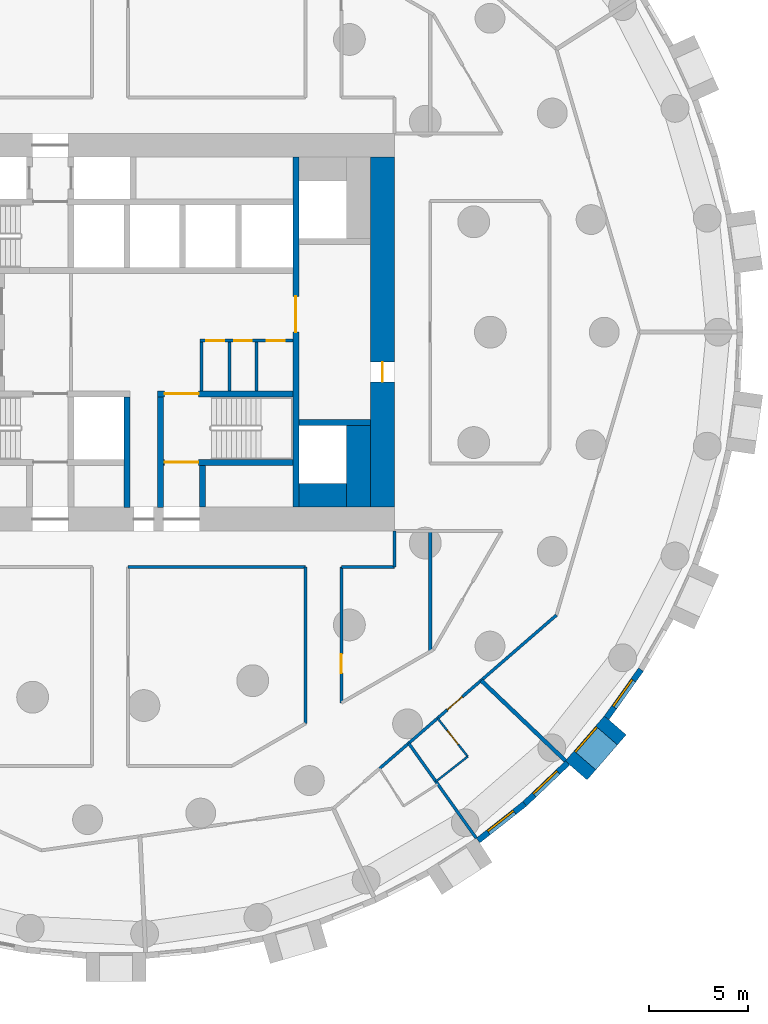
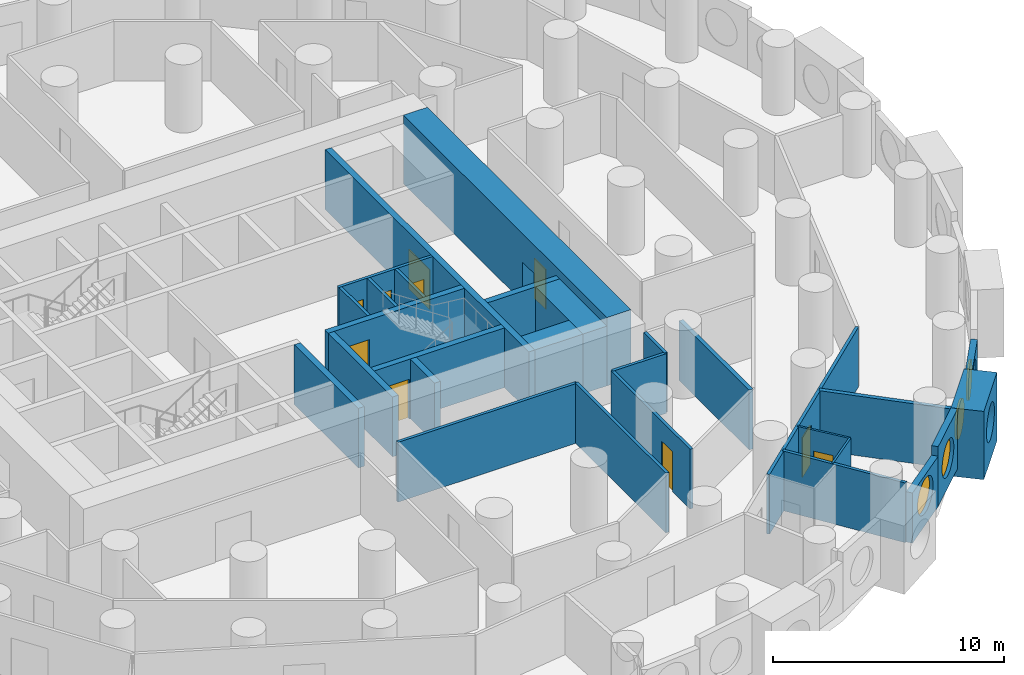
# One storey, part 5 of 11: 29 walls, 10 doors, 4 windows, 14 openings.
"""IFC4 building model written with IfcOpenShell, lengths in metres."""

from ifc_helpers import new_model, si_unit, direction, frame, frame_2d, origin, origin_2d, place, context, subcontext, project, spatial, rectangle, circle, extrude, material, layer, layer_set, type_object, element, fill, save


model = new_model("IFC4")

# Units and contexts
model_context = context("Model", 3, precision=1e-05, world=origin(), true_north=direction((0.0, 1.0)))
body_context = subcontext(model_context, "Body", "Model", "MODEL_VIEW")
ifc_project = project(units=[si_unit("LENGTHUNIT", "METRE"), si_unit("AREAUNIT", "SQUARE_METRE"), si_unit("VOLUMEUNIT", "CUBIC_METRE"), si_unit("PLANEANGLEUNIT", "RADIAN"), si_unit("MASSUNIT", "GRAM", prefix="KILO")], contexts=[model_context])

# Site, building, storey
site_placement = place(None, origin())
site = spatial("IfcSite", under=ifc_project, at=site_placement, CompositionType="ELEMENT")
building_placement = place(site_placement, origin())
building = spatial("IfcBuilding", under=site, at=building_placement, Name="Tracery Tower", CompositionType="ELEMENT")
storey_placement = place(building_placement, frame((0.0, 0.0, 60.60009765625)))
storey = spatial("IfcBuildingStorey", under=building, at=storey_placement, Name="L14", CompositionType="ELEMENT", Elevation=60.60009765625)

# Wall
ifc_material_1 = material(Name="Plasterboard on steel studs", Category="steel")
ifc_layer_1 = layer(ifc_material_1, 0.14990234375)
ifc_layer_set_1 = layer_set([ifc_layer_1], Name="Core room partition 150")
wall_type_1 = type_object("IfcWallType", Name="Core room partition 150", PredefinedType="SOLIDWALL", material=ifc_layer_set_1)
wall_1_placement = place(storey_placement, frame((4.300048828125, -2.949951171875, 0.0), z_axis=(0.0, 0.0, 1.0), x_axis=(0.0, 1.0, 0.0)))
element("IfcWall", 1, at=wall_1_placement, inside=storey, type_object=wall_type_1, Name="L14 slot W", PredefinedType="SOLIDWALL", context=body_context, shape_type="SweptSolid", body=[
    extrude(rectangle(XDim=2.449951171875, YDim=0.14990234375, at=frame_2d((1.22509765625, 0.0))), origin(), (0.0, 0.0, 1.0), 3.14990234375),
])

# Wall, openings, doors
wall_2_placement = place(storey_placement, frame((4.22509765625, -0.425048828125, 0.0), z_axis=(0.0, 0.0, 1.0), x_axis=(1.0, 0.0, 0.0)))
wall_2 = element("IfcWall", 2, at=wall_2_placement, inside=storey, type_object=wall_type_1, Name="L14 slot N", PredefinedType="SOLIDWALL", context=body_context, shape_type="SweptSolid", body=[
    extrude(rectangle(XDim=4.6748046875, YDim=0.14990234375, at=frame_2d((2.33740234375, 0.0))), origin(), (0.0, 0.0, 1.0), 3.14990234375),
])
opening_1_placement = place(wall_2_placement, frame((0.324951171875, 0.0, 0.0)))
opening_1 = element("IfcOpeningElement", 3, at=opening_1_placement, cuts=wall_2, Name="Opening KD27", PredefinedType="OPENING", context=body_context, shape_type="SweptSolid", body=[
    extrude(rectangle(XDim=0.89990234375, YDim=2.10009765625, at=frame_2d((0.449951171875, 1.050048828125))), frame((0.0, 0.074951171875, 0.0), z_axis=(0.0, -1.0, 0.0), x_axis=(1.0, 0.0, 0.0)), (0.0, 0.0, 1.0), 0.14990234375),
])
opening_2_placement = place(wall_2_placement, frame((1.71240234375, 0.0, 0.0)))
opening_2 = element("IfcOpeningElement", 4, at=opening_2_placement, cuts=wall_2, Name="Opening KD31", PredefinedType="OPENING", context=body_context, shape_type="SweptSolid", body=[
    extrude(rectangle(XDim=0.89990234375, YDim=2.10009765625, at=frame_2d((0.449951171875, 1.050048828125))), frame((0.0, 0.074951171875, 0.0), z_axis=(0.0, -1.0, 0.0), x_axis=(1.0, 0.0, 0.0)), (0.0, 0.0, 1.0), 0.14990234375),
])
opening_3_placement = place(wall_2_placement, frame((3.35009765625, 0.0, 0.0)))
opening_3 = element("IfcOpeningElement", 5, at=opening_3_placement, cuts=wall_2, Name="Opening KD22", PredefinedType="OPENING", context=body_context, shape_type="SweptSolid", body=[
    extrude(rectangle(XDim=0.89990234375, YDim=2.10009765625, at=frame_2d((0.449951171875, 1.050048828125))), frame((0.0, 0.074951171875, 0.0), z_axis=(0.0, -1.0, 0.0), x_axis=(1.0, 0.0, 0.0)), (0.0, 0.0, 1.0), 0.14990234375),
])
ifc_material_2 = material(Name="Timber door leaf", Category="wood")
door_type_1 = type_object("IfcDoorType", Name="Core WC door 900", OperationType="NOTDEFINED", PredefinedType="DOOR", material=ifc_material_2)
door_1_placement = place(opening_3_placement, origin())
door_1 = element("IfcDoor", 6, at=door_1_placement, inside=storey, type_object=door_type_1, Name="Core door", OperationType="SINGLE_SWING_RIGHT", OverallHeight=2.10009765625, OverallWidth=0.89990234375, PredefinedType="DOOR", context=body_context, shape_type="SweptSolid", body=[
    extrude(rectangle(XDim=0.89990234375, YDim=2.10009765625, at=frame_2d((0.449951171875, 1.050048828125))), frame((0.0, 0.02490234375, 0.0), z_axis=(0.0, -1.0, 0.0), x_axis=(1.0, 0.0, 0.0)), (0.0, 0.0, 1.0), 0.050048828125),
])
fill(opening_3, door_1)
ifc_material_3 = material(Name="Steel fire door", Category="steel")
door_type_2 = type_object("IfcDoorType", Name="Core riser door 900", OperationType="NOTDEFINED", PredefinedType="DOOR", material=ifc_material_3)
door_2_placement = place(opening_2_placement, origin())
door_2 = element("IfcDoor", 7, at=door_2_placement, inside=storey, type_object=door_type_2, Name="Core door", OperationType="SINGLE_SWING_LEFT", OverallHeight=2.10009765625, OverallWidth=0.89990234375, PredefinedType="DOOR", context=body_context, shape_type="SweptSolid", body=[
    extrude(rectangle(XDim=0.89990234375, YDim=2.10009765625, at=frame_2d((0.449951171875, 1.050048828125))), frame((0.0, 0.02490234375, 0.0), z_axis=(0.0, -1.0, 0.0), x_axis=(1.0, 0.0, 0.0)), (0.0, 0.0, 1.0), 0.050048828125),
])
fill(opening_2, door_2)
ifc_material_4 = material(Name="Timber door leaf", Category="wood")
door_type_3 = type_object("IfcDoorType", Name="Core store door 900", OperationType="NOTDEFINED", PredefinedType="DOOR", material=ifc_material_4)
door_3_placement = place(opening_1_placement, origin())
door_3 = element("IfcDoor", 8, at=door_3_placement, inside=storey, type_object=door_type_3, Name="Core door", OperationType="SINGLE_SWING_RIGHT", OverallHeight=2.10009765625, OverallWidth=0.89990234375, PredefinedType="DOOR", context=body_context, shape_type="SweptSolid", body=[
    extrude(rectangle(XDim=0.89990234375, YDim=2.10009765625, at=frame_2d((0.449951171875, 1.050048828125))), frame((0.0, 0.02490234375, 0.0), z_axis=(0.0, -1.0, 0.0), x_axis=(1.0, 0.0, 0.0)), (0.0, 0.0, 1.0), 0.050048828125),
])
fill(opening_1, door_3)

# Walls
for number, where, z_axis, x_axis, name in (
    (9, (5.699951171875, -2.949951171875, 0.0), (0.0, 0.0, 1.0), (0.0, 1.0, 0.0), "L14 slot sep 1"),
    (10, (7.074951171875, -2.949951171875, 0.0), (0.0, 0.0, 1.0), (0.0, 1.0, 0.0), "L14 slot sep 2"),
):
    element("IfcWall", number, at=place(storey_placement, frame(where, z_axis=z_axis, x_axis=x_axis)), inside=storey, type_object=wall_type_1, Name=name, PredefinedType="SOLIDWALL", context=body_context, shape_type="SweptSolid", body=[
        extrude(rectangle(XDim=2.449951171875, YDim=0.14990234375, at=frame_2d((1.22509765625, 0.0))), origin(), (0.0, 0.0, 1.0), 3.14990234375),
    ])
ifc_material_5 = material(Name="Concrete C60/75", Category="concrete")
ifc_layer_2 = layer(ifc_material_5, 1.199951171875)
ifc_layer_set_2 = layer_set([ifc_layer_2], Name="Core strip wall 1200 C60")
wall_type_2 = type_object("IfcWallType", Name="Core strip wall 1200 C60", PredefinedType="SOLIDWALL", material=ifc_layer_set_2)
wall_3_placement = place(storey_placement, frame((12.199951171875, -8.800048828125, 0.0), z_axis=(0.0, 0.0, 1.0), x_axis=(0.0, 1.0, 0.0)))
element("IfcWall", 11, at=wall_3_placement, inside=storey, type_object=wall_type_2, Name="L14 wing strip +1 -9.4", PredefinedType="SOLIDWALL", context=body_context, shape_type="SweptSolid", body=[
    extrude(rectangle(XDim=4.10009765625, YDim=1.199951171875, at=frame_2d((2.050048828125, 0.0))), origin(), (0.0, 0.0, 1.0), 3.14990234375),
])
wall_4_placement = place(storey_placement, frame((9.199951171875, -8.199951171875, 0.0), z_axis=(0.0, 0.0, 1.0), x_axis=(1.0, 0.0, 0.0)))
element("IfcWall", 12, at=wall_4_placement, inside=storey, type_object=wall_type_2, Name="L14 wing corner +1 -8.2", PredefinedType="SOLIDWALL", context=body_context, shape_type="SweptSolid", body=[
    extrude(rectangle(XDim=2.400146484375, YDim=1.199951171875, at=frame_2d((1.2001953125, 0.0))), origin(), (0.0, 0.0, 1.0), 3.14990234375),
])

# Wall, opening, door
ifc_material_6 = material(Name="Concrete C60/75", Category="concrete")
ifc_layer_3 = layer(ifc_material_6, 1.199951171875)
ifc_layer_set_3 = layer_set([ifc_layer_3], Name="Core wall 1200 C60")
wall_type_3 = type_object("IfcWallType", Name="Core wall 1200 C60", PredefinedType="SOLIDWALL", material=ifc_layer_set_3)
wall_5_placement = place(storey_placement, frame((13.39990234375, -8.800048828125, 0.0), z_axis=(0.0, 0.0, 1.0), x_axis=(0.0, 1.0, 0.0)))
wall_5 = element("IfcWall", 13, at=wall_5_placement, inside=storey, type_object=wall_type_3, Name="L14 outer E", PredefinedType="SOLIDWALL", context=body_context, shape_type="SweptSolid", body=[
    extrude(rectangle(XDim=17.60009765625, YDim=1.199951171875, at=frame_2d((8.800048828125, 0.0))), origin(), (0.0, 0.0, 1.0), 3.599853515625),
])
opening_4_placement = place(wall_5_placement, frame((6.300048828125, 0.0, 0.0)))
opening_4 = element("IfcOpeningElement", 14, at=opening_4_placement, cuts=wall_5, Name="Opening KD18", PredefinedType="OPENING", context=body_context, shape_type="SweptSolid", body=[
    extrude(rectangle(XDim=1.0, YDim=2.10009765625, at=frame_2d((0.5, 1.050048828125))), frame((0.0, 0.60009765625, 0.0), z_axis=(0.0, -1.0, 0.0), x_axis=(1.0, 0.0, 0.0)), (0.0, 0.0, 1.0), 1.199951171875),
])
ifc_material_7 = material(Name="Steel fire door", Category="steel")
door_type_4 = type_object("IfcDoorType", Name="Core exit door 1000", OperationType="NOTDEFINED", PredefinedType="DOOR", material=ifc_material_7)
door_4_placement = place(opening_4_placement, origin())
door_4 = element("IfcDoor", 15, at=door_4_placement, inside=storey, type_object=door_type_4, Name="Core exit door", OperationType="DOUBLE_DOOR_SINGLE_SWING", OverallHeight=2.10009765625, OverallWidth=1.0, PredefinedType="DOOR", context=body_context, shape_type="SweptSolid", body=[
    extrude(rectangle(XDim=1.0, YDim=2.10009765625, at=frame_2d((0.5, 1.050048828125))), frame((0.0, 0.02490234375, 0.0), z_axis=(0.0, -1.0, 0.0), x_axis=(1.0, 0.0, 0.0)), (0.0, 0.0, 1.0), 0.050048828125),
])
fill(opening_4, door_4)

# Wall, opening, window
ifc_material_8 = material(Name="Precast concrete C50/60", Category="concrete")
ifc_layer_4 = layer(ifc_material_8, 1.449951171875)
ifc_layer_set_4 = layer_set([ifc_layer_4], Name="Deep-set bay unit 3000 x 3600, slab edge 450")
wall_type_4 = type_object("IfcWallType", Name="Deep-set bay unit 3000 x 3600, slab edge 450", PredefinedType="ELEMENTEDWALL", material=ifc_layer_set_4)
wall_6_placement = place(storey_placement, frame((23.13671875, -22.03271484375, -0.4501953125), z_axis=(0.0, 0.0, 1.0), x_axis=(0.654890259022, 0.75572398972, 0.0)))
wall_6 = element("IfcWall", 16, at=wall_6_placement, inside=storey, type_object=wall_type_4, Name="Deep-set bay unit 59 at L14", PredefinedType="ELEMENTEDWALL", context=body_context, shape_type="SweptSolid", body=[
    extrude(rectangle(XDim=3.0, YDim=1.449951171875, at=frame_2d((1.5, 0.0))), origin(), (0.0, 0.0, 1.0), 3.60009765625),
])
opening_5_placement = place(wall_6_placement, frame((1.5, 0.0, 2.0)))
opening_5 = element("IfcOpeningElement", 17, at=opening_5_placement, cuts=wall_6, Name="Opening WN1", PredefinedType="OPENING", context=body_context, shape_type="SweptSolid", body=[
    extrude(circle(Radius=0.9000244140625, at=origin_2d()), frame((0.0, 0.73486328125, 0.0), z_axis=(0.0, -1.0, 0.0), x_axis=(1.0, 0.0, 0.0)), (0.0, 0.0, 1.0), 1.469970703125),
])
ifc_material_9 = material(Name="Aluminium frame with tinted double glazing", Category="aluminium")
window_type = type_object("IfcWindowType", Name="Round window 1800", PartitioningType="SINGLE_PANEL", PredefinedType="WINDOW", material=ifc_material_9)
window_1_placement = place(opening_5_placement, origin())
window_1 = element("IfcWindow", 18, at=window_1_placement, inside=storey, type_object=window_type, Name="Round window 59 at L14", OverallHeight=1.800048828125, OverallWidth=1.800048828125, PartitioningType="SINGLE_PANEL", PredefinedType="WINDOW", context=body_context, shape_type="SweptSolid", body=[
    extrude(circle(Radius=0.9000244140625, at=origin_2d()), frame((0.0, 0.69482421875, 0.0), z_axis=(0.0, -1.0, 0.0), x_axis=(1.0, 0.0, 0.0)), (0.0, 0.0, 1.0), 0.10009765625),
])
fill(opening_5, window_1)

ifc_material_10 = material(Name="Precast concrete C50/60", Category="concrete")
ifc_layer_5 = layer(ifc_material_10, 0.300048828125)
ifc_layer_set_5 = layer_set([ifc_layer_5], Name="Facade panel 3000 x 2650")
wall_type_5 = type_object("IfcWallType", Name="Facade panel 3000 x 2650", PredefinedType="SOLIDWALL", material=ifc_layer_set_5)
wall_7_placement = place(storey_placement, frame((18.20361328125, -25.55322265625, 0.0), z_axis=(0.0, 0.0, 1.0), x_axis=(0.786045331304, 0.618168858108, 0.0)))
wall_7 = element("IfcWall", 19, at=wall_7_placement, inside=storey, type_object=wall_type_5, Name="Facade panel 57 at L14", PredefinedType="SOLIDWALL", context=body_context, shape_type="SweptSolid", body=[
    extrude(rectangle(XDim=2.979736328125, YDim=0.300048828125, at=frame_2d((1.48974609375, 0.0))), origin(), (0.0, 0.0, 1.0), 2.64990234375),
])
opening_6_placement = place(wall_7_placement, frame((1.48974609375, 0.0, 1.5498046875)))
opening_6 = element("IfcOpeningElement", 20, at=opening_6_placement, cuts=wall_7, Name="Opening WN1", PredefinedType="OPENING", context=body_context, shape_type="SweptSolid", body=[
    extrude(circle(Radius=0.9000244140625, at=origin_2d()), frame((0.0, 0.159912109375, 0.0), z_axis=(0.0, -1.0, 0.0), x_axis=(1.0, 0.0, 0.0)), (0.0, 0.0, 1.0), 0.320068359375),
])
window_2_placement = place(opening_6_placement, origin())
window_2 = element("IfcWindow", 21, at=window_2_placement, inside=storey, type_object=window_type, Name="Round window 57 at L14", OverallHeight=1.800048828125, OverallWidth=1.800048828125, PartitioningType="SINGLE_PANEL", PredefinedType="WINDOW", context=body_context, shape_type="SweptSolid", body=[
    extrude(circle(Radius=0.9000244140625, at=origin_2d()), frame((0.0, 0.1201171875, 0.0), z_axis=(0.0, -1.0, 0.0), x_axis=(1.0, 0.0, 0.0)), (0.0, 0.0, 1.0), 0.10009765625),
])
fill(opening_6, window_2)

wall_8_placement = place(storey_placement, frame((24.66552734375, -19.389404296875, 0.0), z_axis=(0.0, 0.0, 1.0), x_axis=(0.580059407678, 0.81457417315, 0.0)))
wall_8 = element("IfcWall", 22, at=wall_8_placement, inside=storey, type_object=wall_type_5, Name="Facade panel 60 at L14", PredefinedType="SOLIDWALL", context=body_context, shape_type="SweptSolid", body=[
    extrude(rectangle(XDim=2.9794921875, YDim=0.300048828125, at=frame_2d((1.48974609375, 0.0))), origin(), (0.0, 0.0, 1.0), 2.64990234375),
])
opening_7_placement = place(wall_8_placement, frame((1.48974609375, 0.0, 1.5498046875)))
opening_7 = element("IfcOpeningElement", 23, at=opening_7_placement, cuts=wall_8, Name="Opening WN1", PredefinedType="OPENING", context=body_context, shape_type="SweptSolid", body=[
    extrude(circle(Radius=0.9000244140625, at=origin_2d()), frame((0.0, 0.159912109375, 0.0), z_axis=(0.0, -1.0, 0.0), x_axis=(1.0, 0.0, 0.0)), (0.0, 0.0, 1.0), 0.320068359375),
])
window_3_placement = place(opening_7_placement, origin())
window_3 = element("IfcWindow", 24, at=window_3_placement, inside=storey, type_object=window_type, Name="Round window 60 at L14", OverallHeight=1.800048828125, OverallWidth=1.800048828125, PartitioningType="SINGLE_PANEL", PredefinedType="WINDOW", context=body_context, shape_type="SweptSolid", body=[
    extrude(circle(Radius=0.9000244140625, at=origin_2d()), frame((0.0, 0.1201171875, 0.0), z_axis=(0.0, -1.0, 0.0), x_axis=(1.0, 0.0, 0.0)), (0.0, 0.0, 1.0), 0.10009765625),
])
fill(opening_7, window_3)

ifc_material_11 = material(Name="Precast concrete C50/60", Category="concrete")
ifc_layer_6 = layer(ifc_material_11, 0.300048828125)
ifc_layer_set_6 = layer_set([ifc_layer_6], Name="Facade panel 3000 x 3150")
wall_type_6 = type_object("IfcWallType", Name="Facade panel 3000 x 3150", PredefinedType="SOLIDWALL", material=ifc_layer_set_6)
wall_9_placement = place(storey_placement, frame((20.5458984375, -23.711181640625, 0.0), z_axis=(0.0, 0.0, 1.0), x_axis=(0.723744206617, 0.690068346896, 0.0)))
wall_9 = element("IfcWall", 25, at=wall_9_placement, inside=storey, type_object=wall_type_6, Name="Facade panel 58 at L14", PredefinedType="SOLIDWALL", context=body_context, shape_type="SweptSolid", body=[
    extrude(rectangle(XDim=2.979736328125, YDim=0.300048828125, at=frame_2d((1.48974609375, 0.0))), origin(), (0.0, 0.0, 1.0), 3.14990234375),
])
opening_8_placement = place(wall_9_placement, frame((1.48974609375, 0.0, 1.5498046875)))
opening_8 = element("IfcOpeningElement", 26, at=opening_8_placement, cuts=wall_9, Name="Opening WN1", PredefinedType="OPENING", context=body_context, shape_type="SweptSolid", body=[
    extrude(circle(Radius=0.9000244140625, at=origin_2d()), frame((0.0, 0.159912109375, 0.0), z_axis=(0.0, -1.0, 0.0), x_axis=(1.0, 0.0, 0.0)), (0.0, 0.0, 1.0), 0.320068359375),
])
window_4_placement = place(opening_8_placement, origin())
window_4 = element("IfcWindow", 27, at=window_4_placement, inside=storey, type_object=window_type, Name="Round window 58 at L14", OverallHeight=1.800048828125, OverallWidth=1.800048828125, PartitioningType="SINGLE_PANEL", PredefinedType="WINDOW", context=body_context, shape_type="SweptSolid", body=[
    extrude(circle(Radius=0.9000244140625, at=origin_2d()), frame((0.0, 0.1201171875, 0.0), z_axis=(0.0, -1.0, 0.0), x_axis=(1.0, 0.0, 0.0)), (0.0, 0.0, 1.0), 0.10009765625),
])
fill(opening_8, window_4)

# Wall
ifc_material_12 = material(Name="Plasterboard on steel studs", Category="steel")
ifc_layer_7 = layer(ifc_material_12, 0.10009765625)
ifc_layer_set_7 = layer_set([ifc_layer_7], Name="Partition 100 wet wall")
wall_type_7 = type_object("IfcWallType", Name="Partition 100 wet wall", PredefinedType="PARTITIONING", material=ifc_layer_set_7)
wall_10_placement = place(storey_placement, frame((16.0859375, -22.589111328125, 0.0), z_axis=(0.0, 0.0, 1.0), x_axis=(0.785984904201, 0.618245687707, 0.0)))
element("IfcWall", 28, at=wall_10_placement, inside=storey, type_object=wall_type_7, Name="Wet wall RA4-090", PredefinedType="PARTITIONING", context=body_context, shape_type="SweptSolid", body=[
    extrude(rectangle(XDim=2.033203125, YDim=0.10009765625, at=frame_2d((1.0166015625, 0.0))), origin(), (0.0, 0.0, 1.0), 3.14990234375),
])

# Wall, opening, door
wall_11_placement = place(storey_placement, frame((16.16796875, -19.404052734375, 0.0), z_axis=(0.0, 0.0, 1.0), x_axis=(0.618142414415, -0.786066126672, 0.0)))
wall_11 = element("IfcWall", 29, at=wall_11_placement, inside=storey, type_object=wall_type_7, Name="Wet wall RA4-091", PredefinedType="PARTITIONING", context=body_context, shape_type="SweptSolid", body=[
    extrude(rectangle(XDim=2.45263671875, YDim=0.10009765625, at=frame_2d((1.226318359375, 0.0))), origin(), (0.0, 0.0, 1.0), 3.14990234375),
])
opening_9_placement = place(wall_11_placement, frame((0.776611328125, 0.0, 0.0)))
opening_9 = element("IfcOpeningElement", 30, at=opening_9_placement, cuts=wall_11, Name="Opening RA4-32", PredefinedType="OPENING", context=body_context, shape_type="SweptSolid", body=[
    extrude(rectangle(XDim=0.89990234375, YDim=2.0400390625, at=frame_2d((0.449951171875, 1.02001953125))), frame((0.0, 0.050048828125, 0.0), z_axis=(0.0, -1.0, 0.0), x_axis=(1.0, 0.0, 0.0)), (0.0, 0.0, 1.0), 0.10009765625),
])
ifc_material_13 = material(Name="Timber door leaf", Category="wood")
door_type_5 = type_object("IfcDoorType", Name="Door en-suite 900", OperationType="NOTDEFINED", PredefinedType="DOOR", material=ifc_material_13)
door_5_placement = place(opening_9_placement, origin())
door_5 = element("IfcDoor", 31, at=door_5_placement, inside=storey, type_object=door_type_5, Name="En-suite door RA4-32", OperationType="SINGLE_SWING_LEFT", OverallHeight=2.0400390625, OverallWidth=0.89990234375, PredefinedType="DOOR", context=body_context, shape_type="SweptSolid", body=[
    extrude(rectangle(XDim=0.89990234375, YDim=2.0400390625, at=frame_2d((0.449951171875, 1.02001953125))), frame((0.0, 0.02490234375, 0.0), z_axis=(0.0, -1.0, 0.0), x_axis=(1.0, 0.0, 0.0)), (0.0, 0.0, 1.0), 0.050048828125),
])
fill(opening_9, door_5)

# Walls
ifc_material_14 = material(Name="Plasterboard on steel studs", Category="steel")
ifc_layer_8 = layer(ifc_material_14, 0.14990234375)
ifc_layer_set_8 = layer_set([ifc_layer_8], Name="Partition 150 acoustic unit wall")
wall_type_8 = type_object("IfcWallType", Name="Partition 150 acoustic unit wall", PredefinedType="PARTITIONING", material=ifc_layer_set_8)
wall_12_placement = place(storey_placement, frame((14.71533203125, -20.663818359375, 0.0), z_axis=(0.0, 0.0, 1.0), x_axis=(0.57995989616, -0.814645026282, 0.0)))
element("IfcWall", 32, at=wall_12_placement, inside=storey, type_object=wall_type_8, Name="Unit wall RA4-089", PredefinedType="PARTITIONING", context=body_context, shape_type="SweptSolid", body=[
    extrude(rectangle(XDim=5.85693359375, YDim=0.14990234375, at=frame_2d((2.928466796875, 0.0))), origin(), (0.0, 0.0, 1.0), 3.14990234375),
])
ifc_material_15 = material(Name="Plasterboard on steel studs", Category="steel")
ifc_layer_9 = layer(ifc_material_15, 0.14990234375)
ifc_layer_set_9 = layer_set([ifc_layer_9], Name="Partition 150 corridor wall")
wall_type_9 = type_object("IfcWallType", Name="Partition 150 corridor wall", PredefinedType="PARTITIONING", material=ifc_layer_set_9)
wall_13_placement = place(storey_placement, frame((0.60400390625, -11.800048828125, 0.0), z_axis=(0.0, 0.0, 1.0), x_axis=(1.0, 0.0, 0.0)))
element("IfcWall", 33, at=wall_13_placement, inside=storey, type_object=wall_type_9, Name="Corridor wall RA4-007", PredefinedType="PARTITIONING", context=body_context, shape_type="SweptSolid", body=[
    extrude(rectangle(XDim=8.93603515625, YDim=0.14990234375, at=frame_2d((4.468017578125, 0.0))), origin(), (0.0, 0.0, 1.0), 3.14990234375),
])
wall_14_placement = place(storey_placement, frame((14.0, -11.800048828125, 0.0), z_axis=(0.0, 0.0, 1.0), x_axis=(0.0, 1.0, 0.0)))
element("IfcWall", 34, at=wall_14_placement, inside=storey, type_object=wall_type_9, Name="Corridor wall RA4-008", PredefinedType="PARTITIONING", context=body_context, shape_type="SweptSolid", body=[
    extrude(rectangle(XDim=1.800048828125, YDim=0.14990234375, at=frame_2d((0.89990234375, 0.0))), origin(), (0.0, 0.0, 1.0), 3.14990234375),
])
wall_15_placement = place(storey_placement, frame((11.33203125, -11.800048828125, 0.0), z_axis=(0.0, 0.0, 1.0), x_axis=(1.0, 0.0, 0.0)))
element("IfcWall", 35, at=wall_15_placement, inside=storey, type_object=wall_type_9, Name="Corridor wall RA4-009", PredefinedType="PARTITIONING", context=body_context, shape_type="SweptSolid", body=[
    extrude(rectangle(XDim=2.66796875, YDim=0.14990234375, at=frame_2d((1.333984375, 0.0))), origin(), (0.0, 0.0, 1.0), 3.14990234375),
])

# Wall, opening, door
wall_16_placement = place(storey_placement, frame((13.247314453125, -21.939453125, 0.0), z_axis=(0.0, 0.0, 1.0), x_axis=(0.755420750547, 0.655240024451, 0.0)))
wall_16 = element("IfcWall", 36, at=wall_16_placement, inside=storey, type_object=wall_type_9, Name="Corridor wall RA4-024", PredefinedType="PARTITIONING", context=body_context, shape_type="SweptSolid", body=[
    extrude(rectangle(XDim=11.770751953125, YDim=0.14990234375, at=frame_2d((5.88525390625, 0.0))), origin(), (0.0, 0.0, 1.0), 3.14990234375),
])
opening_10_placement = place(wall_16_placement, frame((4.512939453125, 0.0, 0.0)))
opening_10 = element("IfcOpeningElement", 37, at=opening_10_placement, cuts=wall_16, Name="Opening RA4-33", PredefinedType="OPENING", context=body_context, shape_type="SweptSolid", body=[
    extrude(rectangle(XDim=1.0, YDim=2.10009765625, at=frame_2d((0.5, 1.050048828125))), frame((0.0, 0.074951171875, 0.0), z_axis=(0.0, -1.0, 0.0), x_axis=(1.0, 0.0, 0.0)), (0.0, 0.0, 1.0), 0.14990234375),
])
ifc_material_16 = material(Name="Timber door leaf", Category="wood")
door_type_6 = type_object("IfcDoorType", Name="Door unit entrance 1000", OperationType="NOTDEFINED", PredefinedType="DOOR", material=ifc_material_16)
door_6_placement = place(opening_10_placement, origin())
door_6 = element("IfcDoor", 38, at=door_6_placement, inside=storey, type_object=door_type_6, Name="Unit entrance door RA4-33", OperationType="SINGLE_SWING_LEFT", OverallHeight=2.10009765625, OverallWidth=1.0, PredefinedType="DOOR", context=body_context, shape_type="SweptSolid", body=[
    extrude(rectangle(XDim=1.0, YDim=2.10009765625, at=frame_2d((0.5, 1.050048828125))), frame((0.0, 0.02490234375, 0.0), z_axis=(0.0, -1.0, 0.0), x_axis=(1.0, 0.0, 0.0)), (0.0, 0.0, 1.0), 0.050048828125),
])
fill(opening_10, door_6)

# Wall
wall_17_placement = place(storey_placement, frame((9.535888671875, -19.6689453125, 0.0), z_axis=(0.0, 0.0, 1.0), x_axis=(0.0, 1.0, 0.0)))
element("IfcWall", 39, at=wall_17_placement, inside=storey, type_object=wall_type_9, Name="Corridor wall RA4-055", PredefinedType="PARTITIONING", context=body_context, shape_type="SweptSolid", body=[
    extrude(rectangle(XDim=7.868896484375, YDim=0.14990234375, at=frame_2d((3.9345703125, 0.0))), origin(), (0.0, 0.0, 1.0), 3.14990234375),
])

# Wall, opening, door
wall_18_placement = place(storey_placement, frame((11.3359375, -18.6298828125, 0.0), z_axis=(0.0, 0.0, 1.0), x_axis=(0.0, 1.0, 0.0)))
wall_18 = element("IfcWall", 40, at=wall_18_placement, inside=storey, type_object=wall_type_9, Name="Corridor wall RA4-056", PredefinedType="PARTITIONING", context=body_context, shape_type="SweptSolid", body=[
    extrude(rectangle(XDim=6.829833984375, YDim=0.14990234375, at=frame_2d((3.4150390625, 0.0))), origin(), (0.0, 0.0, 1.0), 3.14990234375),
])
opening_11_placement = place(wall_18_placement, frame((1.489990234375, 0.0, 0.0)))
opening_11 = element("IfcOpeningElement", 41, at=opening_11_placement, cuts=wall_18, Name="Opening RA4-06", PredefinedType="OPENING", context=body_context, shape_type="SweptSolid", body=[
    extrude(rectangle(XDim=0.949951171875, YDim=2.10009765625, at=frame_2d((0.47509765625, 1.050048828125))), frame((0.0, 0.074951171875, 0.0), z_axis=(0.0, -1.0, 0.0), x_axis=(1.0, 0.0, 0.0)), (0.0, 0.0, 1.0), 0.14990234375),
])
ifc_material_17 = material(Name="Timber door leaf", Category="wood")
door_type_7 = type_object("IfcDoorType", Name="Door store 950", OperationType="NOTDEFINED", PredefinedType="DOOR", material=ifc_material_17)
door_7_placement = place(opening_11_placement, origin())
door_7 = element("IfcDoor", 42, at=door_7_placement, inside=storey, type_object=door_type_7, Name="Store door RA4-06", OperationType="SINGLE_SWING_RIGHT", OverallHeight=2.10009765625, OverallWidth=0.949951171875, PredefinedType="DOOR", context=body_context, shape_type="SweptSolid", body=[
    extrude(rectangle(XDim=0.949951171875, YDim=2.10009765625, at=frame_2d((0.47509765625, 1.050048828125))), frame((0.0, 0.02490234375, 0.0), z_axis=(0.0, -1.0, 0.0), x_axis=(1.0, 0.0, 0.0)), (0.0, 0.0, 1.0), 0.050048828125),
])
fill(opening_11, door_7)

# Walls
ifc_material_18 = material(Name="Plasterboard on steel studs", Category="steel")
ifc_layer_10 = layer(ifc_material_18, 0.199951171875)
ifc_layer_set_10 = layer_set([ifc_layer_10], Name="Partition 200 compartment wall")
wall_type_10 = type_object("IfcWallType", Name="Partition 200 compartment wall", PredefinedType="PARTITIONING", material=ifc_layer_set_10)
wall_19_placement = place(storey_placement, frame((15.800048828125, -16.052978515625, 0.0), z_axis=(0.0, 0.0, 1.0), x_axis=(0.0, 1.0, 0.0)))
element("IfcWall", 43, at=wall_19_placement, inside=storey, type_object=wall_type_10, Name="Compartment wall RA4-064", PredefinedType="PARTITIONING", context=body_context, shape_type="SweptSolid", body=[
    extrude(rectangle(XDim=6.052978515625, YDim=0.199951171875, at=frame_2d((3.0263671875, 0.0))), origin(), (0.0, 0.0, 1.0), 3.14990234375),
])
wall_20_placement = place(storey_placement, frame((18.35888671875, -17.506103515625, 0.0), z_axis=(0.0, 0.0, 1.0), x_axis=(0.723808715798, -0.690000683286, 0.0)))
element("IfcWall", 44, at=wall_20_placement, inside=storey, type_object=wall_type_10, Name="Compartment wall RA4-092", PredefinedType="PARTITIONING", context=body_context, shape_type="SweptSolid", body=[
    extrude(rectangle(XDim=5.8564453125, YDim=0.199951171875, at=frame_2d((2.92822265625, 0.0))), origin(), (0.0, 0.0, 1.0), 3.14990234375),
])
ifc_material_19 = material(Name="Concrete C60/75", Category="concrete")
ifc_layer_11 = layer(ifc_material_19, 0.300048828125)
ifc_layer_set_11 = layer_set([ifc_layer_11], Name="Shaft wall 300 C60")
wall_type_11 = type_object("IfcWallType", Name="Shaft wall 300 C60", PredefinedType="SOLIDWALL", material=ifc_layer_set_11)
wall_21_placement = place(storey_placement, frame((0.550048828125, -8.800048828125, 0.0), z_axis=(0.0, 0.0, 1.0), x_axis=(0.0, 1.0, 0.0)))
element("IfcWall", 45, at=wall_21_placement, inside=storey, type_object=wall_type_11, Name="L14 OB2 E", PredefinedType="SOLIDWALL", context=body_context, shape_type="SweptSolid", body=[
    extrude(rectangle(XDim=5.550048828125, YDim=0.300048828125, at=frame_2d((2.77490234375, 0.0))), origin(), (0.0, 0.0, 1.0), 3.14990234375),
])
wall_22_placement = place(storey_placement, frame((4.35009765625, -8.800048828125, 0.0), z_axis=(0.0, 0.0, 1.0), x_axis=(0.0, 1.0, 0.0)))
element("IfcWall", 46, at=wall_22_placement, inside=storey, type_object=wall_type_11, Name="L14 band S +4.35", PredefinedType="SOLIDWALL", context=body_context, shape_type="SweptSolid", body=[
    extrude(rectangle(XDim=2.10009765625, YDim=0.300048828125, at=frame_2d((1.050048828125, 0.0))), origin(), (0.0, 0.0, 1.0), 3.14990234375),
])
wall_23_placement = place(storey_placement, frame((9.199951171875, -4.550048828125, 0.0), z_axis=(0.0, 0.0, 1.0), x_axis=(1.0, 0.0, 0.0)))
element("IfcWall", 47, at=wall_23_placement, inside=storey, type_object=wall_type_11, Name="L14 wing shaft wall +1 -4.55", PredefinedType="SOLIDWALL", context=body_context, shape_type="SweptSolid", body=[
    extrude(rectangle(XDim=3.60009765625, YDim=0.300048828125, at=frame_2d((1.800048828125, 0.0))), origin(), (0.0, 0.0, 1.0), 3.14990234375),
])

# Wall, opening, door
ifc_material_20 = material(Name="Concrete C60/75", Category="concrete")
ifc_layer_12 = layer(ifc_material_20, 0.300048828125)
ifc_layer_set_12 = layer_set([ifc_layer_12], Name="Stair wall 300 C60")
wall_type_12 = type_object("IfcWallType", Name="Stair wall 300 C60", PredefinedType="SOLIDWALL", material=ifc_layer_set_12)
wall_24_placement = place(storey_placement, frame((2.10009765625, -3.10009765625, 0.0), z_axis=(0.0, 0.0, 1.0), x_axis=(1.0, 0.0, 0.0)))
wall_24 = element("IfcWall", 48, at=wall_24_placement, inside=storey, type_object=wall_type_12, Name="L14 row S E", PredefinedType="SOLIDWALL", context=body_context, shape_type="SweptSolid", body=[
    extrude(rectangle(XDim=6.7998046875, YDim=0.300048828125, at=frame_2d((3.39990234375, 0.0))), origin(), (0.0, 0.0, 1.0), 3.14990234375),
])
opening_12_placement = place(wall_24_placement, frame((0.35009765625, 0.0, 0.0)))
opening_12 = element("IfcOpeningElement", 49, at=opening_12_placement, cuts=wall_24, Name="Opening KD3", PredefinedType="OPENING", context=body_context, shape_type="SweptSolid", body=[
    extrude(rectangle(XDim=1.699951171875, YDim=2.10009765625, at=frame_2d((0.85009765625, 1.050048828125))), frame((0.0, 0.14990234375, 0.0), z_axis=(0.0, -1.0, 0.0), x_axis=(1.0, 0.0, 0.0)), (0.0, 0.0, 1.0), 0.300048828125),
])
ifc_material_21 = material(Name="Steel fire door", Category="steel")
door_type_8 = type_object("IfcDoorType", Name="Core stair door 1700 double", OperationType="NOTDEFINED", PredefinedType="DOOR", material=ifc_material_21)
door_8_placement = place(opening_12_placement, origin())
door_8 = element("IfcDoor", 50, at=door_8_placement, inside=storey, type_object=door_type_8, Name="Stair door ST2", OperationType="DOUBLE_DOOR_SINGLE_SWING", OverallHeight=2.10009765625, OverallWidth=1.699951171875, PredefinedType="DOOR", context=body_context, shape_type="SweptSolid", body=[
    extrude(rectangle(XDim=1.699951171875, YDim=2.10009765625, at=frame_2d((0.85009765625, 1.050048828125))), frame((0.0, 0.02490234375, 0.0), z_axis=(0.0, -1.0, 0.0), x_axis=(1.0, 0.0, 0.0)), (0.0, 0.0, 1.0), 0.050048828125),
])
fill(opening_12, door_8)

# Wall
wall_25_placement = place(storey_placement, frame((2.25, -8.800048828125, 0.0), z_axis=(0.0, 0.0, 1.0), x_axis=(0.0, 1.0, 0.0)))
element("IfcWall", 51, at=wall_25_placement, inside=storey, type_object=wall_type_12, Name="L14 ST2 W", PredefinedType="SOLIDWALL", context=body_context, shape_type="SweptSolid", body=[
    extrude(rectangle(XDim=5.550048828125, YDim=0.300048828125, at=frame_2d((2.77490234375, 0.0))), origin(), (0.0, 0.0, 1.0), 3.14990234375),
])

# Wall, opening, door
wall_26_placement = place(storey_placement, frame((9.050048828125, -8.800048828125, 0.0), z_axis=(0.0, 0.0, 1.0), x_axis=(0.0, 1.0, 0.0)))
wall_26 = element("IfcWall", 52, at=wall_26_placement, inside=storey, type_object=wall_type_12, Name="L14 F wall +9", PredefinedType="SOLIDWALL", context=body_context, shape_type="SweptSolid", body=[
    extrude(rectangle(XDim=17.60009765625, YDim=0.300048828125, at=frame_2d((8.800048828125, 0.0))), origin(), (0.0, 0.0, 1.0), 3.14990234375),
])
opening_13_placement = place(wall_26_placement, frame((8.800048828125, 0.0, 0.0)))
opening_13 = element("IfcOpeningElement", 53, at=opening_13_placement, cuts=wall_26, Name="Opening KD13", PredefinedType="OPENING", context=body_context, shape_type="SweptSolid", body=[
    extrude(rectangle(XDim=1.800048828125, YDim=2.10009765625, at=frame_2d((0.89990234375, 1.050048828125))), frame((0.0, 0.14990234375, 0.0), z_axis=(0.0, -1.0, 0.0), x_axis=(1.0, 0.0, 0.0)), (0.0, 0.0, 1.0), 0.300048828125),
])
ifc_material_22 = material(Name="Steel fire door", Category="steel")
door_type_9 = type_object("IfcDoorType", Name="Core exit door 1800 double", OperationType="NOTDEFINED", PredefinedType="DOOR", material=ifc_material_22)
door_9_placement = place(opening_13_placement, origin())
door_9 = element("IfcDoor", 54, at=door_9_placement, inside=storey, type_object=door_type_9, Name="Core exit door", OperationType="DOUBLE_DOOR_SINGLE_SWING", OverallHeight=2.10009765625, OverallWidth=1.800048828125, PredefinedType="DOOR", context=body_context, shape_type="SweptSolid", body=[
    extrude(rectangle(XDim=1.800048828125, YDim=2.10009765625, at=frame_2d((0.89990234375, 1.050048828125))), frame((0.0, 0.02490234375, 0.0), z_axis=(0.0, -1.0, 0.0), x_axis=(1.0, 0.0, 0.0)), (0.0, 0.0, 1.0), 0.050048828125),
])
fill(opening_13, door_9)

wall_27_placement = place(storey_placement, frame((2.39990234375, -6.550048828125, 0.0), z_axis=(0.0, 0.0, 1.0), x_axis=(1.0, 0.0, 0.0)))
wall_27 = element("IfcWall", 55, at=wall_27_placement, inside=storey, type_object=wall_type_12, Name="L14 F S E", PredefinedType="SOLIDWALL", context=body_context, shape_type="SweptSolid", body=[
    extrude(rectangle(XDim=6.5, YDim=0.300048828125, at=frame_2d((3.25, 0.0))), origin(), (0.0, 0.0, 1.0), 3.14990234375),
])
opening_14_placement = place(wall_27_placement, frame((0.050048828125, 0.0, 0.0)))
opening_14 = element("IfcOpeningElement", 56, at=opening_14_placement, cuts=wall_27, Name="Opening KD3", PredefinedType="OPENING", context=body_context, shape_type="SweptSolid", body=[
    extrude(rectangle(XDim=1.699951171875, YDim=2.10009765625, at=frame_2d((0.85009765625, 1.050048828125))), frame((0.0, 0.14990234375, 0.0), z_axis=(0.0, -1.0, 0.0), x_axis=(1.0, 0.0, 0.0)), (0.0, 0.0, 1.0), 0.300048828125),
])
door_10_placement = place(opening_14_placement, origin())
door_10 = element("IfcDoor", 57, at=door_10_placement, inside=storey, type_object=door_type_8, Name="Stair door ST2 S", OperationType="DOUBLE_DOOR_SINGLE_SWING", OverallHeight=2.10009765625, OverallWidth=1.699951171875, PredefinedType="DOOR", context=body_context, shape_type="SweptSolid", body=[
    extrude(rectangle(XDim=1.699951171875, YDim=2.10009765625, at=frame_2d((0.85009765625, 1.050048828125))), frame((0.0, 0.02490234375, 0.0), z_axis=(0.0, -1.0, 0.0), x_axis=(1.0, 0.0, 0.0)), (0.0, 0.0, 1.0), 0.050048828125),
])
fill(opening_14, door_10)

save(model, "model.ifc")
